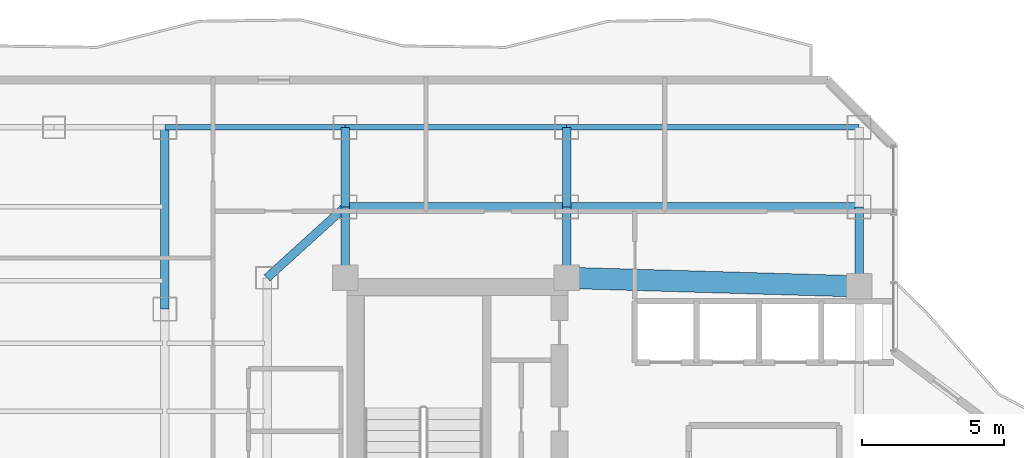
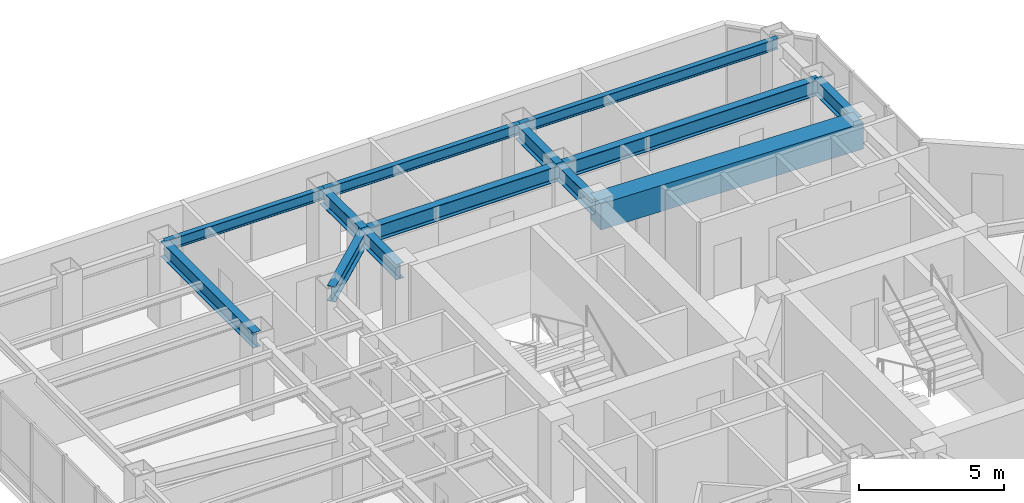
# One storey, part 18 of 27: 13 beams.
"""IFC4 building model written with IfcOpenShell, lengths in metres."""

from ifc_helpers import new_model, si_unit, direction, frame, origin, origin_2d, place, context, subcontext, project, spatial, rectangle, i_section, extrude, material, material_profile, profile_set, type_object, element, save


model = new_model("IFC4")

# Units and contexts
model_context = context("Model", 3, precision=1e-05, world=origin(), true_north=direction((0.0, 1.0)))
body_context = subcontext(model_context, "Body", "Model", "MODEL_VIEW")
ifc_project = project(units=[si_unit("LENGTHUNIT", "METRE"), si_unit("AREAUNIT", "SQUARE_METRE"), si_unit("VOLUMEUNIT", "CUBIC_METRE"), si_unit("PLANEANGLEUNIT", "RADIAN"), si_unit("MASSUNIT", "GRAM", prefix="KILO")], contexts=[model_context])

# Site, building, storey
site_placement = place(None, origin())
site = spatial("IfcSite", under=ifc_project, at=site_placement, CompositionType="ELEMENT")
building_placement = place(site_placement, origin())
building = spatial("IfcBuilding", under=site, at=building_placement, Name="Hatsunagi Terrace Concourse", CompositionType="ELEMENT")
storey_placement = place(building_placement, frame((0.0, 0.0, 142.050048828125)))
storey = spatial("IfcBuildingStorey", under=building, at=storey_placement, Name="L37", CompositionType="ELEMENT", Elevation=142.050048828125)

# Beams
ifc_material_1 = material(Name="Concrete Fc48", Category="concrete")
ifc_material_profile_1 = material_profile(ifc_material_1, rectangle(XDim=0.75, YDim=1.10009765625, at=origin_2d()), Name="RC-750x1100")
ifc_profile_set_1 = profile_set([ifc_material_profile_1], Name="Concrete Fc48")
beam_type_1 = type_object("IfcBeamType", Name="CoreCouplingBeam_RC_750x1100", PredefinedType="BEAM", material=ifc_profile_set_1)
beam_1_placement = place(storey_placement, frame((33.35009765625, 43.300048828125, 2.800048828125), z_axis=(0.999575947545, -0.029119153303, 0.0), x_axis=(0.029119153303, 0.999575947545, 0.0)))
element("IfcBeam", 1, at=beam_1_placement, inside=storey, type_object=beam_type_1, Name="Beam CB-02 CB-L37-2", PredefinedType="BEAM", context=body_context, shape_type="SweptSolid", body=[
    extrude(rectangle(XDim=0.75, YDim=1.10009765625, at=origin_2d()), origin(), (0.0, 0.0, 1.0), 10.30419921875),
])
ifc_material_2 = material(Name="Steel SN490B", Category="steel")
ifc_material_profile_2 = material_profile(ifc_material_2, i_section(OverallWidth=0.300048828125, OverallDepth=0.64990234375, WebThickness=0.012939453125, FlangeThickness=0.02197265625, FilletRadius=0.01806640625, at=origin_2d()), Name="H-650x300x13x22")
ifc_profile_set_2 = profile_set([ifc_material_profile_2], Name="Steel SN490B")
beam_type_2 = type_object("IfcBeamType", Name="OfficeLowGirder_H_650x300", PredefinedType="BEAM", material=ifc_profile_set_2)
for number, where, z_axis, x_axis, name in (
    (2, (25.550048828125, 43.300048828125, 3.02490234375), (0.0, 1.0, 0.0), (-1.0, 0.0, 0.0), "Beam G-05 BM-L37-CN1"),
    (3, (33.35009765625, 43.300048828125, 3.02490234375), (0.0, 1.0, 0.0), (-1.0, 0.0, 0.0), "Beam G-05 BM-L37-CN2"),
):
    element("IfcBeam", number, at=place(storey_placement, frame(where, z_axis=z_axis, x_axis=x_axis)), inside=storey, type_object=beam_type_2, Name=name, PredefinedType="BEAM", context=body_context, shape_type="SweptSolid", body=[
        extrude(i_section(OverallWidth=0.300048828125, OverallDepth=0.64990234375, WebThickness=0.012939453125, FlangeThickness=0.02197265625, FilletRadius=0.01806640625, at=origin_2d()), origin(), (0.0, 0.0, 1.0), 2.5),
    ])
beam_2_placement = place(storey_placement, frame((43.64990234375, 43.0, 3.02490234375), z_axis=(0.0, 1.0, 0.0), x_axis=(-1.0, 0.0, 0.0)))
element("IfcBeam", 4, at=beam_2_placement, inside=storey, type_object=beam_type_2, Name="Beam G-05 BM-L37-CN3", PredefinedType="BEAM", context=body_context, shape_type="SweptSolid", body=[
    extrude(i_section(OverallWidth=0.300048828125, OverallDepth=0.64990234375, WebThickness=0.012939453125, FlangeThickness=0.02197265625, FilletRadius=0.01806640625, at=origin_2d()), origin(), (0.0, 0.0, 1.0), 2.800048828125),
])
beam_3_placement = place(storey_placement, frame((25.550048828125, 45.800048828125, 3.02490234375), z_axis=(1.0, 0.0, 0.0), x_axis=(0.0, 1.0, 0.0)))
element("IfcBeam", 5, at=beam_3_placement, inside=storey, type_object=beam_type_2, Name="Beam G-05 BM-L37-CNEW1", PredefinedType="BEAM", context=body_context, shape_type="SweptSolid", body=[
    extrude(i_section(OverallWidth=0.300048828125, OverallDepth=0.64990234375, WebThickness=0.012939453125, FlangeThickness=0.02197265625, FilletRadius=0.01806640625, at=origin_2d()), origin(), (0.0, 0.0, 1.0), 7.800048828125),
])
beam_4_placement = place(storey_placement, frame((33.35009765625, 45.800048828125, 3.02490234375), z_axis=(1.0, 0.0, 0.0), x_axis=(0.0, 1.0, 0.0)))
element("IfcBeam", 6, at=beam_4_placement, inside=storey, type_object=beam_type_2, Name="Beam G-05 BM-L37-CNEW2", PredefinedType="BEAM", context=body_context, shape_type="SweptSolid", body=[
    extrude(i_section(OverallWidth=0.300048828125, OverallDepth=0.64990234375, WebThickness=0.012939453125, FlangeThickness=0.02197265625, FilletRadius=0.01806640625, at=origin_2d()), origin(), (0.0, 0.0, 1.0), 10.2998046875),
])
for number, where, z_axis, x_axis, name in (
    (7, (25.550048828125, 45.800048828125, 3.02490234375), (0.0, 1.0, 0.0), (-1.0, 0.0, 0.0), "Beam G-05 BM-L37-KN-WN4"),
    (8, (33.35009765625, 45.800048828125, 3.02490234375), (0.0, 1.0, 0.0), (-1.0, 0.0, 0.0), "Beam G-05 BM-L37-KN-WN5"),
):
    element("IfcBeam", number, at=place(storey_placement, frame(where, z_axis=z_axis, x_axis=x_axis)), inside=storey, type_object=beam_type_2, Name=name, PredefinedType="BEAM", context=body_context, shape_type="SweptSolid", body=[
        extrude(i_section(OverallWidth=0.300048828125, OverallDepth=0.64990234375, WebThickness=0.012939453125, FlangeThickness=0.02197265625, FilletRadius=0.01806640625, at=origin_2d()), origin(), (0.0, 0.0, 1.0), 2.800048828125),
    ])
beam_5_placement = place(storey_placement, frame((22.800048828125, 43.300048828125, 3.02490234375), z_axis=(0.739940073396, 0.672672793996, 0.0), x_axis=(-0.672672793996, 0.739940073396, 0.0)))
element("IfcBeam", 9, at=beam_5_placement, inside=storey, type_object=beam_type_2, Name="Beam G-05 BM-L37-CWEW-N", PredefinedType="BEAM", context=body_context, shape_type="SweptSolid", body=[
    extrude(i_section(OverallWidth=0.300048828125, OverallDepth=0.64990234375, WebThickness=0.012939453125, FlangeThickness=0.02197265625, FilletRadius=0.01806640625, at=origin_2d()), origin(), (0.0, 0.0, 1.0), 3.716552734375),
])
beam_6_placement = place(storey_placement, frame((19.199951171875, 42.199951171875, 3.02490234375), z_axis=(0.0, 1.0, 0.0), x_axis=(-1.0, 0.0, 0.0)))
element("IfcBeam", 10, at=beam_6_placement, inside=storey, type_object=beam_type_2, Name="Beam G-05 BM-L37-NS-19-42", PredefinedType="BEAM", context=body_context, shape_type="SweptSolid", body=[
    extrude(i_section(OverallWidth=0.300048828125, OverallDepth=0.64990234375, WebThickness=0.012939453125, FlangeThickness=0.02197265625, FilletRadius=0.01806640625, at=origin_2d()), origin(), (0.0, 0.0, 1.0), 6.400146484375),
])
ifc_material_3 = material(Name="Steel SN490B", Category="steel")
ifc_material_profile_3 = material_profile(ifc_material_3, i_section(OverallWidth=0.199951171875, OverallDepth=0.449951171875, WebThickness=0.009033203125, FlangeThickness=0.013916015625, FilletRadius=0.01611328125, at=origin_2d()), Name="H-450x200x9x14")
ifc_profile_set_3 = profile_set([ifc_material_profile_3], Name="Steel SN490B")
beam_type_3 = type_object("IfcBeamType", Name="PerimeterSpandrel_H_450x200", PredefinedType="SPANDREL", material=ifc_profile_set_3)
beam_7_placement = place(storey_placement, frame((19.199951171875, 48.60009765625, 3.125), z_axis=(1.0, 0.0, 0.0), x_axis=(0.0, 1.0, 0.0)))
element("IfcBeam", 11, at=beam_7_placement, inside=storey, type_object=beam_type_3, Name="Beam SP-02 BM-L37-WN-19", PredefinedType="SPANDREL", context=body_context, shape_type="SweptSolid", body=[
    extrude(i_section(OverallWidth=0.199951171875, OverallDepth=0.449951171875, WebThickness=0.009033203125, FlangeThickness=0.013916015625, FilletRadius=0.01611328125, at=origin_2d()), origin(), (0.0, 0.0, 1.0), 6.35009765625),
])
beam_8_placement = place(storey_placement, frame((25.550048828125, 48.60009765625, 3.125), z_axis=(1.0, 0.0, 0.0), x_axis=(0.0, 1.0, 0.0)))
element("IfcBeam", 12, at=beam_8_placement, inside=storey, type_object=beam_type_3, Name="Beam SP-02 BM-L37-WN-25", PredefinedType="SPANDREL", context=body_context, shape_type="SweptSolid", body=[
    extrude(i_section(OverallWidth=0.199951171875, OverallDepth=0.449951171875, WebThickness=0.009033203125, FlangeThickness=0.013916015625, FilletRadius=0.01611328125, at=origin_2d()), origin(), (0.0, 0.0, 1.0), 7.800048828125),
])
beam_9_placement = place(storey_placement, frame((33.35009765625, 48.60009765625, 3.125), z_axis=(1.0, 0.0, 0.0), x_axis=(0.0, 1.0, 0.0)))
element("IfcBeam", 13, at=beam_9_placement, inside=storey, type_object=beam_type_3, Name="Beam SP-02 BM-L37-WN-33", PredefinedType="SPANDREL", context=body_context, shape_type="SweptSolid", body=[
    extrude(i_section(OverallWidth=0.199951171875, OverallDepth=0.449951171875, WebThickness=0.009033203125, FlangeThickness=0.013916015625, FilletRadius=0.01611328125, at=origin_2d()), origin(), (0.0, 0.0, 1.0), 10.2998046875),
])

save(model, "model.ifc")
